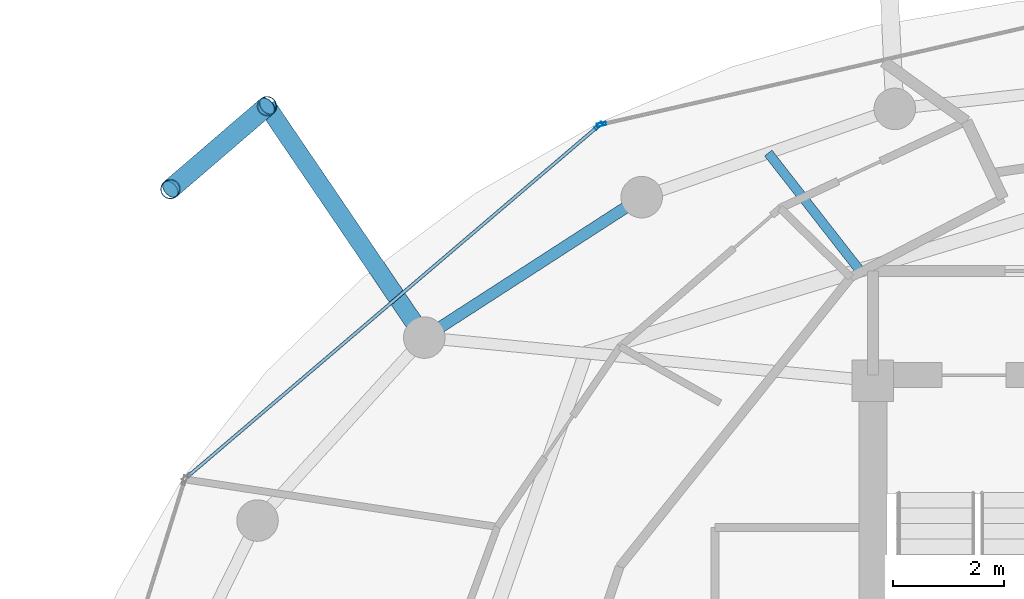
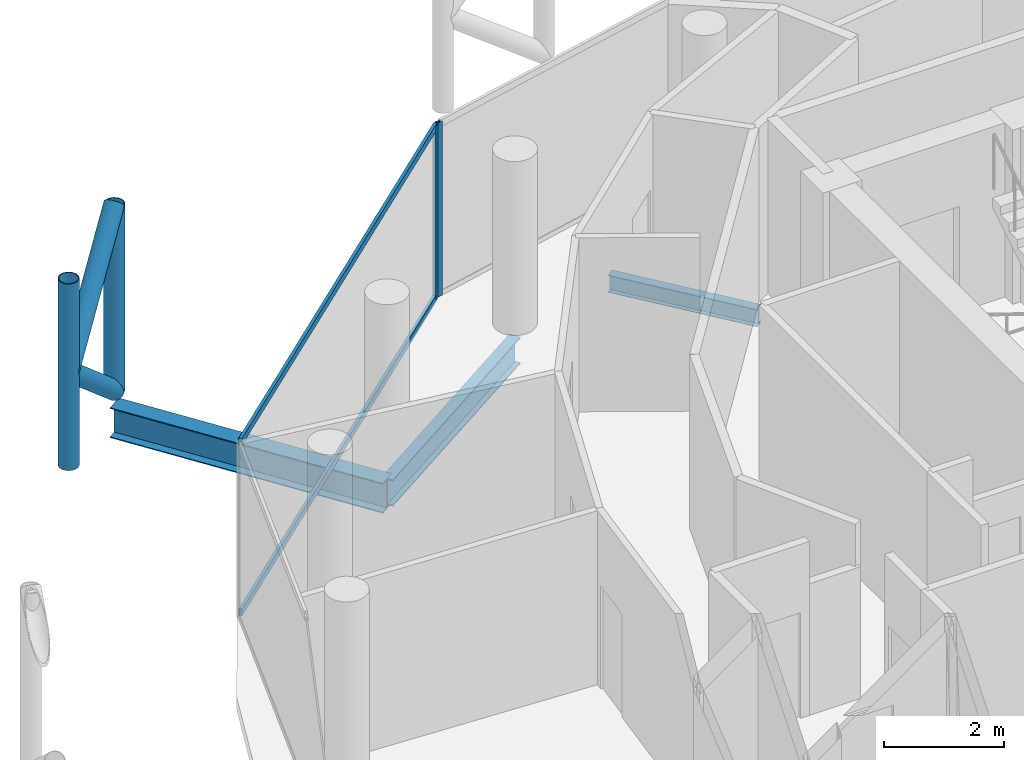
# One storey, part 15 of 24: 8 members, 3 beams, 2 elements without a shape of their own.
"""IFC4 building model written with IfcOpenShell, lengths in metres."""

from ifc_helpers import new_model, si_unit, direction, frame, origin, origin_2d, place, context, subcontext, project, spatial, hollow_rectangle, hollow_circle, i_section, extrude, material, layer, layer_set, material_profile, profile_set, type_object, element, aggregate, save


model = new_model("IFC4")

# Units and contexts
model_context = context("Model", 3, precision=1e-05, world=origin(), true_north=direction((0.0, 1.0)))
body_context = subcontext(model_context, "Body", "Model", "MODEL_VIEW")
ifc_project = project(units=[si_unit("LENGTHUNIT", "METRE"), si_unit("AREAUNIT", "SQUARE_METRE"), si_unit("VOLUMEUNIT", "CUBIC_METRE"), si_unit("PLANEANGLEUNIT", "RADIAN"), si_unit("MASSUNIT", "GRAM", prefix="KILO")], contexts=[model_context])

# Site, building, storey
site_placement = place(None, origin())
site = spatial("IfcSite", under=ifc_project, at=site_placement, CompositionType="ELEMENT")
building_placement = place(site_placement, origin())
building = spatial("IfcBuilding", under=site, at=building_placement, Name="Nuhasar Tower", CompositionType="ELEMENT")
storey_placement = place(building_placement, frame((0.0, 0.0, 282.199951171875)))
storey = spatial("IfcBuildingStorey", under=building, at=storey_placement, Name="L70", CompositionType="ELEMENT", Elevation=282.199951171875)

# Beams
ifc_material_1 = material(Name="Steel S355", Category="steel")
ifc_material_profile_1 = material_profile(ifc_material_1, i_section(OverallWidth=0.1708984375, OverallDepth=0.35205078125, WebThickness=0.0068359375, FlangeThickness=0.009765625, at=origin_2d()), Name="W14X30")
ifc_profile_set_1 = profile_set([ifc_material_profile_1], Name="Steel S355")
beam_type_1 = type_object("IfcBeamType", Name="BM-JST-W14X30", PredefinedType="JOIST", material=ifc_profile_set_1)
beam_1_placement = place(storey_placement, frame((33.4609375, 39.29296875, -0.43603515625), z_axis=(-0.614953767351, 0.788563164256, 0.0), x_axis=(-0.788563164256, -0.614953767351, 0.0)))
element("IfcBeam", 1, at=beam_1_placement, inside=storey, type_object=beam_type_1, Name="L70 Secondary Floor Joist 06", PredefinedType="JOIST", context=body_context, shape_type="SweptSolid", body=[
    extrude(i_section(OverallWidth=0.1708984375, OverallDepth=0.35205078125, WebThickness=0.0068359375, FlangeThickness=0.009765625, at=origin_2d()), origin(), (0.0, 0.0, 1.0), 2.6845703125),
])
ifc_material_profile_2 = material_profile(ifc_material_1, i_section(OverallWidth=0.2099609375, OverallDepth=0.537109375, WebThickness=0.010986328125, FlangeThickness=0.017333984375, at=origin_2d()), Name="W21X68")
ifc_profile_set_2 = profile_set([ifc_material_profile_2], Name="Steel S355")
beam_type_2 = type_object("IfcBeamType", Name="BM-RING-W21X68", PredefinedType="SPANDREL", material=ifc_profile_set_2)
beam_2_placement = place(storey_placement, frame((29.52490234375, 40.613037109375, -0.529052734375), z_axis=(-0.840001671147, -0.54258381147, 0.0), x_axis=(0.54258381147, -0.840001671147, 0.0)))
element("IfcBeam", 2, at=beam_2_placement, inside=storey, type_object=beam_type_2, Name="L70 Perimeter Ring Spandrel 09", PredefinedType="SPANDREL", context=body_context, shape_type="SweptSolid", body=[
    extrude(i_section(OverallWidth=0.2099609375, OverallDepth=0.537109375, WebThickness=0.010986328125, FlangeThickness=0.017333984375, at=origin_2d()), origin(), (0.0, 0.0, 1.0), 4.67236328125),
])
ifc_material_profile_3 = material_profile(ifc_material_1, i_section(OverallWidth=0.323974609375, OverallDepth=0.611083984375, WebThickness=0.0126953125, FlangeThickness=0.01904296875, at=origin_2d()), Name="W24X104")
ifc_profile_set_3 = profile_set([ifc_material_profile_3], Name="Steel S355")
beam_type_3 = type_object("IfcBeamType", Name="BM-TIE-W24X104", PredefinedType="BEAM", material=ifc_profile_set_3)
beam_3_placement = place(storey_placement, frame((25.60009765625, 38.077880859375, -0.56494140625), z_axis=(-0.562070792096, 0.827089127405, 0.0), x_axis=(-0.827089127405, -0.562070792096, 0.0)))
element("IfcBeam", 3, at=beam_3_placement, inside=storey, type_object=beam_type_3, Name="L70 Exoskeleton Node Tie Beam 05", PredefinedType="BEAM", context=body_context, shape_type="SweptSolid", body=[
    extrude(i_section(OverallWidth=0.323974609375, OverallDepth=0.611083984375, WebThickness=0.0126953125, FlangeThickness=0.01904296875, at=origin_2d()), origin(), (0.0, 0.0, 1.0), 5.052978515625),
])

# Curtain wall, member
ifc_material_2 = material(Name="Aluminium 6063-T6", Category="aluminium")
ifc_layer = layer(ifc_material_2, 0.18994140625)
ifc_layer_set = layer_set([ifc_layer], Name="Aluminium 6063-T6")
curtain_wall_type = type_object("IfcCurtainWallType", Name="CW-Z4-PEN", PredefinedType="NOTDEFINED", material=ifc_layer_set)
curtain_wall_1_placement = place(storey_placement, origin())
curtain_wall_1 = element("IfcCurtainWall", 4, at=curtain_wall_1_placement, inside=storey, type_object=curtain_wall_type, Name="L70 Unitised Curtain Wall 04", PredefinedType="NOTDEFINED")
ifc_material_profile_4 = material_profile(ifc_material_2, hollow_rectangle(XDim=0.06005859375, YDim=0.1650390625, WallThickness=0.0048828125, at=origin_2d()), Name="CWM-5")
ifc_profile_set_4 = profile_set([ifc_material_profile_4], Name="Aluminium 6063-T6")
member_type_1 = type_object("IfcMemberType", Name="CW-MUL-S5", PredefinedType="MULLION", material=ifc_profile_set_4)
member_1_placement = place(storey_placement, frame((28.79931640625, 41.927734375, 0.0), z_axis=(0.0, 0.0, 1.0), x_axis=(0.222889487645, -0.97484371891, 0.0)))
member_1 = element("IfcMember", 5, at=member_1_placement, type_object=member_type_1, Name="CW-Z4 mullion 2", PredefinedType="MULLION", context=body_context, shape_type="SweptSolid", body=[
    extrude(hollow_rectangle(XDim=0.06005859375, YDim=0.1650390625, WallThickness=0.0048828125, at=origin_2d()), origin(), (0.0, 0.0, 1.0), 3.5400390625),
])
aggregate(curtain_wall_1, [member_1])

# Curtain wall, members
curtain_wall_2_placement = place(storey_placement, origin())
curtain_wall_2 = element("IfcCurtainWall", 6, at=curtain_wall_2_placement, inside=storey, type_object=curtain_wall_type, Name="L70 Unitised Curtain Wall 05", PredefinedType="NOTDEFINED")
member_2_placement = place(storey_placement, frame((28.7470703125, 41.901611328125, 0.0), z_axis=(0.0, 0.0, 1.0), x_axis=(0.649141996205, -0.760667252327, 0.0)))
member_2 = element("IfcMember", 7, at=member_2_placement, type_object=member_type_1, Name="CW-Z4 mullion 1", PredefinedType="MULLION", context=body_context, shape_type="SweptSolid", body=[
    extrude(hollow_rectangle(XDim=0.06005859375, YDim=0.1650390625, WallThickness=0.0048828125, at=origin_2d()), origin(), (0.0, 0.0, 1.0), 3.5400390625),
])
ifc_material_profile_5 = material_profile(ifc_material_2, hollow_rectangle(XDim=0.06005859375, YDim=0.135009765625, WallThickness=0.00439453125, at=origin_2d()), Name="CWT-5")
ifc_profile_set_5 = profile_set([ifc_material_profile_5], Name="Aluminium 6063-T6")
member_type_2 = type_object("IfcMemberType", Name="CW-TRN-S5", PredefinedType="USERDEFINED", material=ifc_profile_set_5)
member_3_placement = place(storey_placement, frame((28.724365234375, 41.882080078125, 0.030029296875), z_axis=(-0.760660035709, -0.649150452573, 0.0), x_axis=(0.649150452573, -0.760660035709, 0.0)))
member_3 = element("IfcMember", 8, at=member_3_placement, type_object=member_type_2, Name="CW-Z4 transom 1.1", ObjectType="TRANSOM", PredefinedType="USERDEFINED", context=body_context, shape_type="SweptSolid", body=[
    extrude(hollow_rectangle(XDim=0.06005859375, YDim=0.135009765625, WallThickness=0.00439453125, at=origin_2d()), origin(), (0.0, 0.0, 1.0), 9.725341796875),
])
member_4_placement = place(storey_placement, frame((28.724365234375, 41.882080078125, 3.510009765625), z_axis=(-0.760660035709, -0.649150452573, 0.0), x_axis=(0.649150452573, -0.760660035709, 0.0)))
member_4 = element("IfcMember", 9, at=member_4_placement, type_object=member_type_2, Name="CW-Z4 transom 1.2", ObjectType="TRANSOM", PredefinedType="USERDEFINED", context=body_context, shape_type="SweptSolid", body=[
    extrude(hollow_rectangle(XDim=0.06005859375, YDim=0.135009765625, WallThickness=0.00439453125, at=origin_2d()), origin(), (0.0, 0.0, 1.0), 9.725341796875),
])
aggregate(curtain_wall_2, [member_2, member_3, member_4])

# Members
ifc_material_3 = material(Name="Steel S460", Category="steel")
ifc_material_profile_6 = material_profile(ifc_material_3, hollow_circle(Radius=0.177734375, WallThickness=0.015869140625, at=origin_2d()), Name="HSS355.6X15.9")
ifc_profile_set_6 = profile_set([ifc_material_profile_6], Name="Steel S460")
member_type_3 = type_object("IfcMemberType", Name="EXO-BRONZE-356", PredefinedType="BRACE", material=ifc_profile_set_6)
for number, where, z_axis, x_axis, name in (
    (10, (22.760009765625, 42.257080078125, 0.0), (0.0, 0.0, 1.0), (1.0, 0.0, 0.0), "L70 Exoskeleton Chord Column EC-05A"),
    (11, (21.01611328125, 40.758056640625, 0.0), (0.0, 0.0, 1.0), (1.0, 0.0, 0.0), "L70 Exoskeleton Chord Column EC-05B"),
):
    element("IfcMember", number, at=place(storey_placement, frame(where, z_axis=z_axis, x_axis=x_axis)), inside=storey, type_object=member_type_3, Name=name, PredefinedType="BRACE", context=body_context, shape_type="SweptSolid", body=[
        extrude(hollow_circle(Radius=0.177734375, WallThickness=0.015869140625, at=origin_2d()), origin(), (0.0, 0.0, 1.0), 3.800048828125),
    ])
member_5_placement = place(storey_placement, frame((22.760009765625, 42.257080078125, 0.0), z_axis=(-0.584594747408, -0.50250759472, 0.636973389203), x_axis=(0.65185738425, -0.758341579104, 0.0)))
element("IfcMember", 12, at=member_5_placement, inside=storey, type_object=member_type_3, Name="L70 Bronze Diagrid Brace W1-05", PredefinedType="BRACE", context=body_context, shape_type="SweptSolid", body=[
    extrude(hollow_circle(Radius=0.177734375, WallThickness=0.015869140625, at=origin_2d()), origin(), (0.0, 0.0, 1.0), 2.983154296875),
])
member_6_placement = place(storey_placement, frame((21.01611328125, 40.758056640625, 1.900146484375), z_axis=(0.584625223306, 0.502533791278, 0.636924749792), x_axis=(-0.65185738425, 0.758341579104, 0.0)))
element("IfcMember", 13, at=member_6_placement, inside=storey, type_object=member_type_3, Name="L70 Bronze Diagrid Brace W2-05", PredefinedType="BRACE", context=body_context, shape_type="SweptSolid", body=[
    extrude(hollow_circle(Radius=0.177734375, WallThickness=0.015869140625, at=origin_2d()), origin(), (0.0, 0.0, 1.0), 2.98291015625),
])

save(model, "model.ifc")
